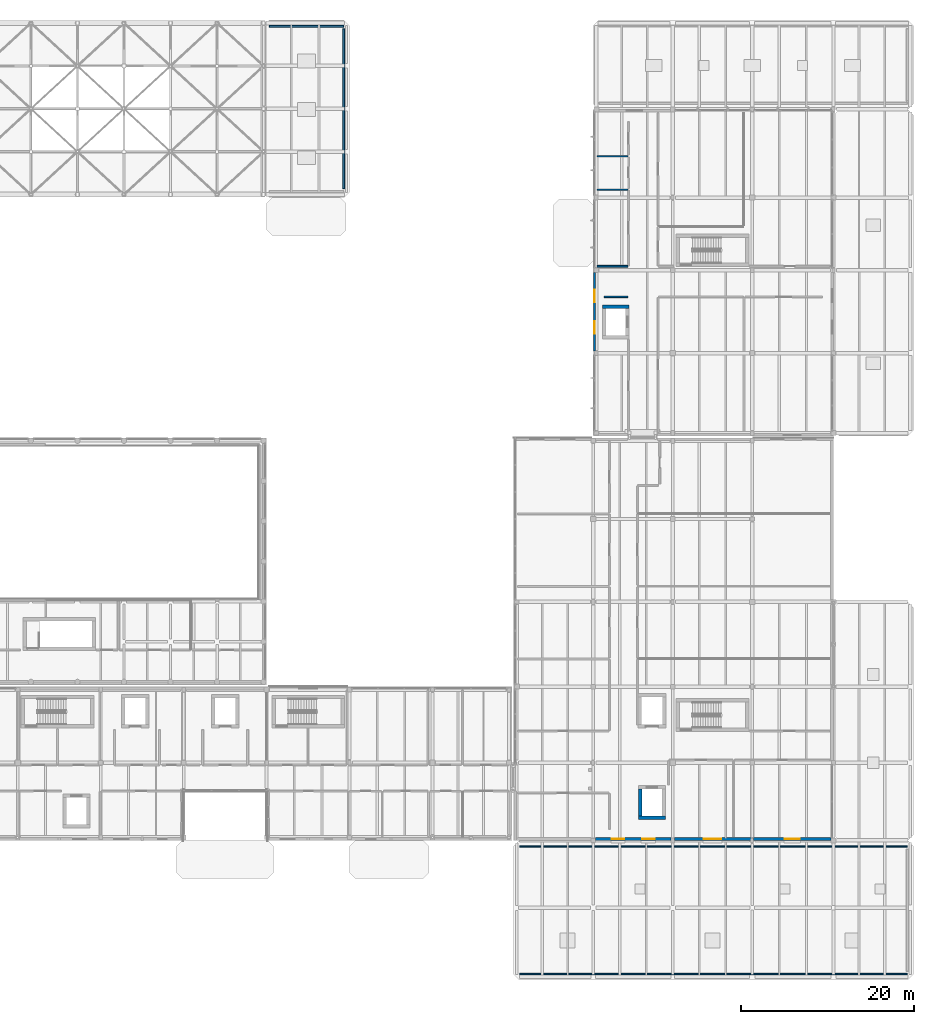
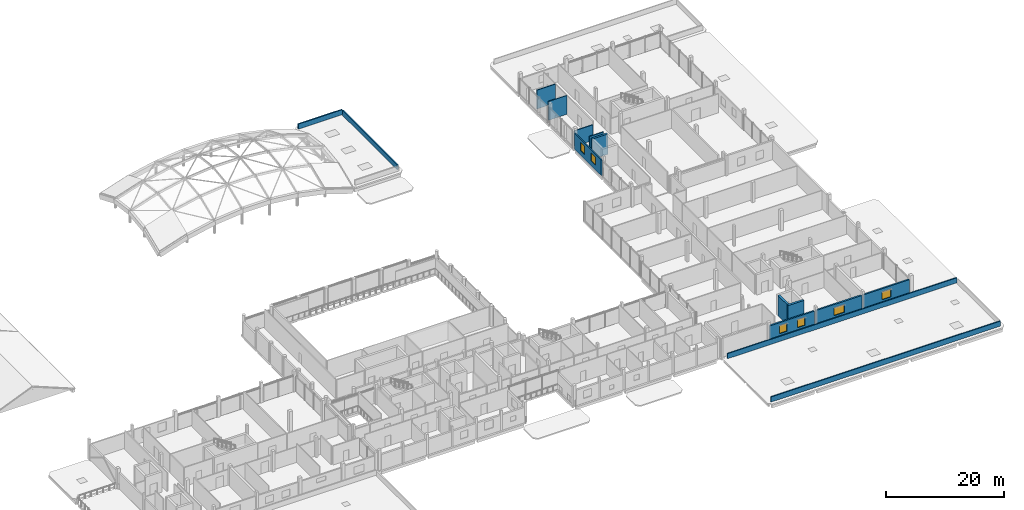
# One storey, part 47 of 66: 15 walls, 6 windows, 6 openings.
"""IFC4 building model written with IfcOpenShell, lengths in metres."""

from ifc_helpers import new_model, si_unit, direction, frame, frame_2d, origin, place, context, subcontext, project, spatial, rectangle, extrude, material, layer, layer_set, type_object, element, fill, save


model = new_model("IFC4")

# Units and contexts
model_context = context("Model", 3, precision=1e-05, world=origin(), true_north=direction((0.0, 1.0)))
body_context = subcontext(model_context, "Body", "Model", "MODEL_VIEW")
ifc_project = project(units=[si_unit("LENGTHUNIT", "METRE"), si_unit("AREAUNIT", "SQUARE_METRE"), si_unit("VOLUMEUNIT", "CUBIC_METRE"), si_unit("PLANEANGLEUNIT", "RADIAN"), si_unit("MASSUNIT", "GRAM", prefix="KILO")], contexts=[model_context])

# Site, building, storey
site_placement = place(None, origin())
site = spatial("IfcSite", under=ifc_project, at=site_placement, CompositionType="ELEMENT")
building_placement = place(site_placement, origin())
building = spatial("IfcBuilding", under=site, at=building_placement, Name="Birchvale Park Specialist Clinic", CompositionType="ELEMENT")
storey_placement = place(building_placement, frame((0.0, 0.0, 5.39990234375)))
storey = spatial("IfcBuildingStorey", under=building, at=storey_placement, Name="L01", CompositionType="ELEMENT", Elevation=5.39990234375)

# Walls
ifc_material_1 = material(Name="Concrete C40/50", Category="concrete")
ifc_layer_1 = layer(ifc_material_1, 0.39990234375)
ifc_layer_set_1 = layer_set([ifc_layer_1], Name="Concrete C40/50")
wall_type_1 = type_object("IfcWallType", Name="WL-CW-120", PredefinedType="SHEAR", material=ifc_layer_set_1)
wall_1_placement = place(storey_placement, frame((132.14990234375, 78.550048828125, 0.0), z_axis=(0.0, 0.0, 1.0), x_axis=(-1.0, 0.0, 0.0)))
element("IfcWall", 1, at=wall_1_placement, inside=storey, type_object=wall_type_1, Name="L01 lift LP2 shaft wall (north)", PredefinedType="SHEAR", context=body_context, shape_type="SweptSolid", body=[
    extrude(rectangle(XDim=3.099853515625, YDim=0.39990234375, at=frame_2d((1.5498046875, 0.0))), origin(), (0.0, 0.0, 1.0), 4.2001953125),
])
for number, where, z_axis, x_axis, name in (
    (2, (133.25, 19.449951171875, 0.0), (0.0, 0.0, 1.0), (1.0, 0.0, 0.0), "L01 lift LP4 shaft wall (south)"),
    (3, (133.449951171875, 19.64990234375, 0.0), (0.0, 0.0, 1.0), (0.0, 1.0, 0.0), "L01 lift LP4 shaft wall (west)"),
):
    element("IfcWall", number, at=place(storey_placement, frame(where, z_axis=z_axis, x_axis=x_axis)), inside=storey, type_object=wall_type_1, Name=name, PredefinedType="SHEAR", context=body_context, shape_type="SweptSolid", body=[
        extrude(rectangle(XDim=3.10009765625, YDim=0.39990234375, at=frame_2d((1.550048828125, 0.0))), origin(), (0.0, 0.0, 1.0), 4.2001953125),
    ])

# Wall, openings, windows
ifc_material_2 = material(Name="Lime-white mineral-rendered insulated masonry", Category="masonry")
ifc_layer_2 = layer(ifc_material_2, 0.31005859375)
ifc_layer_set_2 = layer_set([ifc_layer_2], Name="Lime-white mineral-rendered insulated masonry")
wall_type_2 = type_object("IfcWallType", Name="WL-EW-02", PredefinedType="STANDARD", material=ifc_layer_set_2)
wall_2_placement = place(storey_placement, frame((128.2451171875, 16.97509765625, 0.0), z_axis=(0.0, 0.0, 1.0), x_axis=(1.0, 0.0, 0.0)))
wall_2 = element("IfcWall", 4, at=wall_2_placement, inside=storey, type_object=wall_type_2, Name="V5 L01 exterior facade wall 160", PredefinedType="STANDARD", context=body_context, shape_type="SweptSolid", body=[
    extrude(rectangle(XDim=8.759765625, YDim=0.31005859375, at=frame_2d((4.3798828125, 0.0))), origin(), (0.0, 0.0, 1.0), 3.235107421875),
])
opening_1_placement = place(wall_2_placement, frame((1.903076171875, 0.0, 0.949951171875)))
opening_1 = element("IfcOpeningElement", 5, at=opening_1_placement, cuts=wall_2, Name="Opening W-CL12", PredefinedType="OPENING", context=body_context, shape_type="SweptSolid", body=[
    extrude(rectangle(XDim=1.449951171875, YDim=1.699951171875, at=frame_2d((0.72509765625, 0.85009765625))), frame((0.0, 0.1650390625, 0.0), z_axis=(0.0, -1.0, 0.0), x_axis=(1.0, 0.0, 0.0)), (0.0, 0.0, 1.0), 0.330078125),
])
opening_2_placement = place(wall_2_placement, frame((5.406982421875, 0.0, 0.949951171875)))
opening_2 = element("IfcOpeningElement", 6, at=opening_2_placement, cuts=wall_2, Name="Opening W-CL12", PredefinedType="OPENING", context=body_context, shape_type="SweptSolid", body=[
    extrude(rectangle(XDim=1.449951171875, YDim=1.699951171875, at=frame_2d((0.72509765625, 0.85009765625))), frame((0.0, 0.1650390625, 0.0), z_axis=(0.0, -1.0, 0.0), x_axis=(1.0, 0.0, 0.0)), (0.0, 0.0, 1.0), 0.330078125),
])
ifc_material_3 = material(Name="Solar-control low-E double glazing", Category="glass")
window_type_1 = type_object("IfcWindowType", Name="WIN-W-CL12", PartitioningType="SINGLE_PANEL", PredefinedType="WINDOW", material=ifc_material_3)
window_1_placement = place(opening_1_placement, origin())
window_1 = element("IfcWindow", 7, at=window_1_placement, inside=storey, type_object=window_type_1, Name="V5 L01 cased window 43", OverallHeight=1.699951171875, OverallWidth=1.449951171875, PartitioningType="SINGLE_PANEL", PredefinedType="WINDOW", context=body_context, shape_type="SweptSolid", body=[
    extrude(rectangle(XDim=1.449951171875, YDim=1.699951171875, at=frame_2d((0.72509765625, 0.85009765625))), frame((0.0, 0.030029296875, 0.0), z_axis=(0.0, -1.0, 0.0), x_axis=(1.0, 0.0, 0.0)), (0.0, 0.0, 1.0), 0.06005859375),
])
fill(opening_1, window_1)
window_2_placement = place(opening_2_placement, origin())
window_2 = element("IfcWindow", 8, at=window_2_placement, inside=storey, type_object=window_type_1, Name="V5 L01 cased window 44", OverallHeight=1.699951171875, OverallWidth=1.449951171875, PartitioningType="SINGLE_PANEL", PredefinedType="WINDOW", context=body_context, shape_type="SweptSolid", body=[
    extrude(rectangle(XDim=1.449951171875, YDim=1.699951171875, at=frame_2d((0.72509765625, 0.85009765625))), frame((0.0, 0.030029296875, 0.0), z_axis=(0.0, -1.0, 0.0), x_axis=(1.0, 0.0, 0.0)), (0.0, 0.0, 1.0), 0.06005859375),
])
fill(opening_2, window_2)

# Wall, opening, window
wall_3_placement = place(storey_placement, frame((137.39501953125, 16.97509765625, 0.0), z_axis=(0.0, 0.0, 1.0), x_axis=(1.0, 0.0, 0.0)))
wall_3 = element("IfcWall", 9, at=wall_3_placement, inside=storey, type_object=wall_type_2, Name="V5 L01 exterior facade wall 161", PredefinedType="STANDARD", context=body_context, shape_type="SweptSolid", body=[
    extrude(rectangle(XDim=8.8349609375, YDim=0.31005859375, at=frame_2d((4.41748046875, 0.0))), origin(), (0.0, 0.0, 1.0), 3.235107421875),
])
opening_3_placement = place(wall_3_placement, frame((3.41748046875, 0.0, 0.949951171875)))
opening_3 = element("IfcOpeningElement", 10, at=opening_3_placement, cuts=wall_3, Name="Opening W-CL06", PredefinedType="OPENING", context=body_context, shape_type="SweptSolid", body=[
    extrude(rectangle(XDim=2.0, YDim=1.60009765625, at=frame_2d((1.0, 0.800048828125))), frame((0.0, 0.1650390625, 0.0), z_axis=(0.0, -1.0, 0.0), x_axis=(1.0, 0.0, 0.0)), (0.0, 0.0, 1.0), 0.330078125),
])
window_type_2 = type_object("IfcWindowType", Name="WIN-W-CL06", PartitioningType="SINGLE_PANEL", PredefinedType="WINDOW", material=ifc_material_3)
window_3_placement = place(opening_3_placement, origin())
window_3 = element("IfcWindow", 11, at=window_3_placement, inside=storey, type_object=window_type_2, Name="V5 L01 cased window 45", OverallHeight=1.60009765625, OverallWidth=2.0, PartitioningType="SINGLE_PANEL", PredefinedType="WINDOW", context=body_context, shape_type="SweptSolid", body=[
    extrude(rectangle(XDim=2.0, YDim=1.60009765625, at=frame_2d((1.0, 0.800048828125))), frame((0.0, 0.030029296875, 0.0), z_axis=(0.0, -1.0, 0.0), x_axis=(1.0, 0.0, 0.0)), (0.0, 0.0, 1.0), 0.06005859375),
])
fill(opening_3, window_3)

wall_4_placement = place(storey_placement, frame((146.570068359375, 16.97509765625, 0.0), z_axis=(0.0, 0.0, 1.0), x_axis=(1.0, 0.0, 0.0)))
wall_4 = element("IfcWall", 12, at=wall_4_placement, inside=storey, type_object=wall_type_2, Name="V5 L01 exterior facade wall 162", PredefinedType="STANDARD", context=body_context, shape_type="SweptSolid", body=[
    extrude(rectangle(XDim=8.934814453125, YDim=0.31005859375, at=frame_2d((4.46728515625, 0.0))), origin(), (0.0, 0.0, 1.0), 3.235107421875),
])
opening_4_placement = place(wall_4_placement, frame((3.592529296875, 0.0, 0.949951171875)))
opening_4 = element("IfcOpeningElement", 13, at=opening_4_placement, cuts=wall_4, Name="Opening W-CL16", PredefinedType="OPENING", context=body_context, shape_type="SweptSolid", body=[
    extrude(rectangle(XDim=1.75, YDim=1.64990234375, at=frame_2d((0.875, 0.824951171875))), frame((0.0, 0.1650390625, 0.0), z_axis=(0.0, -1.0, 0.0), x_axis=(1.0, 0.0, 0.0)), (0.0, 0.0, 1.0), 0.330078125),
])
window_type_3 = type_object("IfcWindowType", Name="WIN-W-CL16", PartitioningType="SINGLE_PANEL", PredefinedType="WINDOW", material=ifc_material_3)
window_4_placement = place(opening_4_placement, origin())
window_4 = element("IfcWindow", 14, at=window_4_placement, inside=storey, type_object=window_type_3, Name="V5 L01 cased window 46", OverallHeight=1.64990234375, OverallWidth=1.75, PartitioningType="SINGLE_PANEL", PredefinedType="WINDOW", context=body_context, shape_type="SweptSolid", body=[
    extrude(rectangle(XDim=1.75, YDim=1.64990234375, at=frame_2d((0.875, 0.824951171875))), frame((0.0, 0.030029296875, 0.0), z_axis=(0.0, -1.0, 0.0), x_axis=(1.0, 0.0, 0.0)), (0.0, 0.0, 1.0), 0.06005859375),
])
fill(opening_4, window_4)

# Wall, openings, windows
ifc_layer_3 = layer(ifc_material_2, 0.25)
ifc_layer_set_3 = layer_set([ifc_layer_3], Name="Lime-white mineral-rendered insulated masonry")
wall_type_3 = type_object("IfcWallType", Name="WL-EW-05", PredefinedType="STANDARD", material=ifc_layer_set_3)
wall_5_placement = place(storey_placement, frame((128.14501953125, 82.5400390625, 0.0), z_axis=(0.0, 0.0, 1.0), x_axis=(0.0, -1.0, 0.0)))
wall_5 = element("IfcWall", 15, at=wall_5_placement, inside=storey, type_object=wall_type_3, Name="V6 L01 exterior facade wall 178", PredefinedType="STANDARD", context=body_context, shape_type="SweptSolid", body=[
    extrude(rectangle(XDim=9.0849609375, YDim=0.25, at=frame_2d((4.54248046875, 0.0))), origin(), (0.0, 0.0, 1.0), 3.2451171875),
])
opening_5_placement = place(wall_5_placement, frame((2.00048828125, 0.0, 0.949951171875)))
opening_5 = element("IfcOpeningElement", 16, at=opening_5_placement, cuts=wall_5, Name="Opening W-CL12", PredefinedType="OPENING", context=body_context, shape_type="SweptSolid", body=[
    extrude(rectangle(XDim=1.449951171875, YDim=1.699951171875, at=frame_2d((0.72509765625, 0.85009765625))), frame((0.0, 0.135009765625, 0.0), z_axis=(0.0, -1.0, 0.0), x_axis=(1.0, 0.0, 0.0)), (0.0, 0.0, 1.0), 0.27001953125),
])
opening_6_placement = place(wall_5_placement, frame((5.634521484375, 0.0, 0.949951171875)))
opening_6 = element("IfcOpeningElement", 17, at=opening_6_placement, cuts=wall_5, Name="Opening W-CL12", PredefinedType="OPENING", context=body_context, shape_type="SweptSolid", body=[
    extrude(rectangle(XDim=1.449951171875, YDim=1.699951171875, at=frame_2d((0.72509765625, 0.85009765625))), frame((0.0, 0.135009765625, 0.0), z_axis=(0.0, -1.0, 0.0), x_axis=(1.0, 0.0, 0.0)), (0.0, 0.0, 1.0), 0.27001953125),
])
window_5_placement = place(opening_5_placement, origin())
window_5 = element("IfcWindow", 18, at=window_5_placement, inside=storey, type_object=window_type_1, Name="V6 L01 cased window 55", OverallHeight=1.699951171875, OverallWidth=1.449951171875, PartitioningType="SINGLE_PANEL", PredefinedType="WINDOW", context=body_context, shape_type="SweptSolid", body=[
    extrude(rectangle(XDim=1.449951171875, YDim=1.699951171875, at=frame_2d((0.72509765625, 0.85009765625))), frame((0.0, 0.030029296875, 0.0), z_axis=(0.0, -1.0, 0.0), x_axis=(1.0, 0.0, 0.0)), (0.0, 0.0, 1.0), 0.06005859375),
])
fill(opening_5, window_5)
window_6_placement = place(opening_6_placement, origin())
window_6 = element("IfcWindow", 19, at=window_6_placement, inside=storey, type_object=window_type_1, Name="V6 L01 cased window 56", OverallHeight=1.699951171875, OverallWidth=1.449951171875, PartitioningType="SINGLE_PANEL", PredefinedType="WINDOW", context=body_context, shape_type="SweptSolid", body=[
    extrude(rectangle(XDim=1.449951171875, YDim=1.699951171875, at=frame_2d((0.72509765625, 0.85009765625))), frame((0.0, 0.030029296875, 0.0), z_axis=(0.0, -1.0, 0.0), x_axis=(1.0, 0.0, 0.0)), (0.0, 0.0, 1.0), 0.06005859375),
])
fill(opening_6, window_6)

# Walls
ifc_material_4 = material(Name="Acoustic gypsum board on metal framing")
ifc_layer_4 = layer(ifc_material_4, 0.14990234375)
ifc_layer_set_4 = layer_set([ifc_layer_4], Name="Acoustic gypsum board on metal framing")
wall_type_4 = type_object("IfcWallType", Name="WL-IW-02", PredefinedType="PARTITIONING", material=ifc_layer_set_4)
wall_6_placement = place(storey_placement, frame((128.43994140625, 92.10498046875, 0.0), z_axis=(0.0, 0.0, 1.0), x_axis=(1.0, 0.0, 0.0)))
element("IfcWall", 20, at=wall_6_placement, inside=storey, type_object=wall_type_4, Name="V6 L01 clinical partition 393", PredefinedType="PARTITIONING", context=body_context, shape_type="SweptSolid", body=[
    extrude(rectangle(XDim=3.580078125, YDim=0.14990234375, at=frame_2d((1.7900390625, 0.0))), origin(), (0.0, 0.0, 1.0), 3.900146484375),
])
ifc_layer_5 = layer(ifc_material_4, 0.139892578125)
ifc_layer_set_5 = layer_set([ifc_layer_5], Name="Acoustic gypsum board on metal framing")
wall_type_5 = type_object("IfcWallType", Name="WL-IW-03", PredefinedType="PARTITIONING", material=ifc_layer_set_5)
wall_7_placement = place(storey_placement, frame((128.43994140625, 95.985107421875, 0.0), z_axis=(0.0, 0.0, 1.0), x_axis=(1.0, 0.0, 0.0)))
element("IfcWall", 21, at=wall_7_placement, inside=storey, type_object=wall_type_5, Name="V6 L01 clinical partition 396", PredefinedType="PARTITIONING", context=body_context, shape_type="SweptSolid", body=[
    extrude(rectangle(XDim=3.580078125, YDim=0.139892578125, at=frame_2d((1.7900390625, 0.0))), origin(), (0.0, 0.0, 1.0), 3.900146484375),
])
ifc_layer_6 = layer(ifc_material_4, 0.179931640625)
ifc_layer_set_6 = layer_set([ifc_layer_6], Name="Acoustic gypsum board on metal framing")
wall_type_6 = type_object("IfcWallType", Name="WL-IW-60", PredefinedType="PARTITIONING", material=ifc_layer_set_6)
wall_8_placement = place(storey_placement, frame((129.27001953125, 79.699951171875, 0.0), z_axis=(0.0, 0.0, 1.0), x_axis=(1.0, 0.0, 0.0)))
element("IfcWall", 22, at=wall_8_placement, inside=storey, type_object=wall_type_6, Name="V6 L01 clinical partition 388", PredefinedType="PARTITIONING", context=body_context, shape_type="SweptSolid", body=[
    extrude(rectangle(XDim=2.75, YDim=0.179931640625, at=frame_2d((1.375, 0.0))), origin(), (0.0, 0.0, 1.0), 3.900146484375),
])
wall_9_placement = place(storey_placement, frame((132.02001953125, 83.25, 0.0), z_axis=(0.0, 0.0, 1.0), x_axis=(-1.0, 0.0, 0.0)))
element("IfcWall", 23, at=wall_9_placement, inside=storey, type_object=wall_type_6, Name="V6 L01 clinical partition 395", PredefinedType="PARTITIONING", context=body_context, shape_type="SweptSolid", body=[
    extrude(rectangle(XDim=3.580078125, YDim=0.179931640625, at=frame_2d((1.7900390625, 0.0))), origin(), (0.0, 0.0, 1.0), 3.235107421875),
])
ifc_layer_7 = layer(ifc_material_2, 0.22998046875)
ifc_layer_set_7 = layer_set([ifc_layer_7], Name="Lime-white mineral-rendered insulated masonry")
wall_type_7 = type_object("IfcWallType", Name="WL-PW-01", PredefinedType="PARAPET", material=ifc_layer_set_7)
wall_10_placement = place(storey_placement, frame((99.10009765625, 92.199951171875, 0.0), z_axis=(0.0, 0.0, 1.0), x_axis=(0.0, 1.0, 0.0)))
element("IfcWall", 24, at=wall_10_placement, inside=storey, type_object=wall_type_7, Name="L01 roof edge parapet 2", PredefinedType="PARAPET", context=body_context, shape_type="SweptSolid", body=[
    extrude(rectangle(XDim=18.550048828125, YDim=0.22998046875, at=frame_2d((9.27490234375, 0.0))), origin(), (0.0, 0.0, 1.0), 1.050048828125),
])
wall_11_placement = place(storey_placement, frame((99.10009765625, 111.050048828125, 0.0), z_axis=(0.0, 0.0, 1.0), x_axis=(-1.0, 0.0, 0.0)))
element("IfcWall", 25, at=wall_11_placement, inside=storey, type_object=wall_type_7, Name="L01 roof edge parapet 3", PredefinedType="PARAPET", context=body_context, shape_type="SweptSolid", body=[
    extrude(rectangle(XDim=8.60009765625, YDim=0.22998046875, at=frame_2d((4.300048828125, 0.0))), origin(), (0.0, 0.0, 1.0), 1.050048828125),
])
ifc_layer_8 = layer(ifc_material_2, 0.2099609375)
ifc_layer_set_8 = layer_set([ifc_layer_8], Name="Lime-white mineral-rendered insulated masonry")
wall_type_8 = type_object("IfcWallType", Name="WL-PW-02", PredefinedType="PARAPET", material=ifc_layer_set_8)
for number, where, z_axis, x_axis, name in (
    (26, (119.5, 1.35009765625, 0.0), (0.0, 0.0, 1.0), (1.0, 0.0, 0.0), "L01 roof edge parapet 7"),
    (27, (164.35009765625, 16.10009765625, 0.0), (0.0, 0.0, 1.0), (-1.0, 0.0, 0.0), "L01 roof edge parapet 9"),
):
    element("IfcWall", number, at=place(storey_placement, frame(where, z_axis=z_axis, x_axis=x_axis)), inside=storey, type_object=wall_type_8, Name=name, PredefinedType="PARAPET", context=body_context, shape_type="SweptSolid", body=[
        extrude(rectangle(XDim=44.85009765625, YDim=0.2099609375, at=frame_2d((22.425048828125, 0.0))), origin(), (0.0, 0.0, 1.0), 1.050048828125),
    ])

save(model, "model.ifc")
